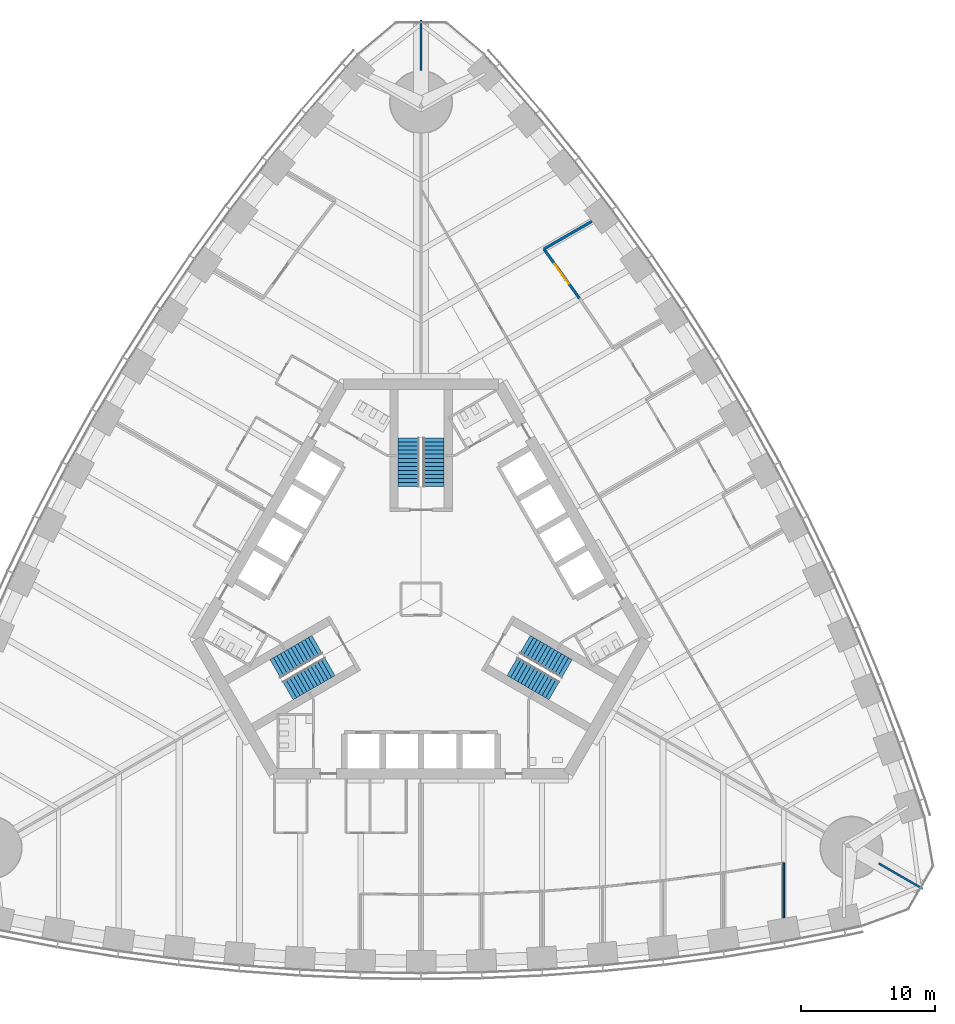
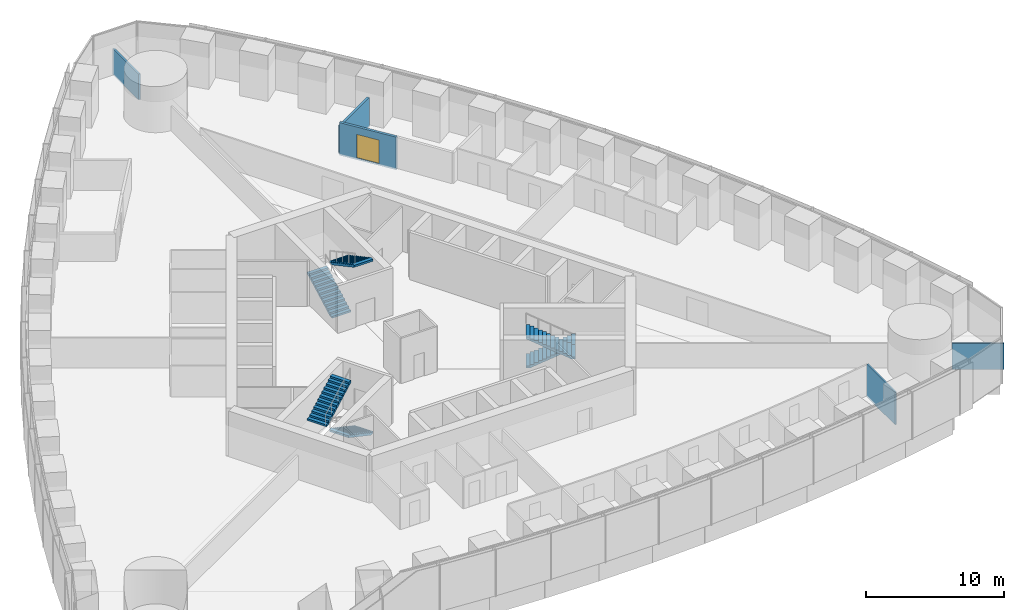
# One storey, part 13 of 18: 6 stair flights, 5 walls, 1 door, 1 opening, 3 elements without a shape of their own.
"""IFC4 building model written with IfcOpenShell, lengths in metres."""

from ifc_helpers import new_model, si_unit, direction, frame, frame_2d, origin, place, context, subcontext, project, spatial, polyline, rectangle, outline, extrude, material, layer, layer_set, type_object, element, fill, aggregate, save


model = new_model("IFC4")

# Units and contexts
model_context = context("Model", 3, precision=1e-05, world=origin(), true_north=direction((0.0, 1.0)))
body_context = subcontext(model_context, "Body", "Model", "MODEL_VIEW")
ifc_project = project(units=[si_unit("LENGTHUNIT", "METRE"), si_unit("AREAUNIT", "SQUARE_METRE"), si_unit("VOLUMEUNIT", "CUBIC_METRE"), si_unit("PLANEANGLEUNIT", "RADIAN"), si_unit("MASSUNIT", "GRAM", prefix="KILO")], contexts=[model_context])

# Site, building, storey
site_placement = place(None, origin())
site = spatial("IfcSite", under=ifc_project, at=site_placement, CompositionType="ELEMENT")
building_placement = place(site_placement, origin())
building = spatial("IfcBuilding", under=site, at=building_placement, Name="Trefoil Bronze Tower", CompositionType="ELEMENT")
storey_placement = place(building_placement, frame((0.0, 0.0, 66.89990234375)))
storey = spatial("IfcBuildingStorey", under=building, at=storey_placement, Name="L15", CompositionType="ELEMENT", Elevation=66.89990234375)

# Wall, opening, door
ifc_material_1 = material(Name="Gypsum board on steel studs", Category="steel")
ifc_layer_1 = layer(ifc_material_1, 0.199951171875)
ifc_layer_set_1 = layer_set([ifc_layer_1], Name="Acoustic partition 200")
wall_type_1 = type_object("IfcWallType", Name="Acoustic partition 200", PredefinedType="PARTITIONING", material=ifc_layer_set_1)
wall_1_placement = place(storey_placement, frame((11.791748046875, 22.396240234375, 0.0), z_axis=(0.0, 0.0, 1.0), x_axis=(-0.585376255171, 0.810761765183, 0.0)))
wall_1 = element("IfcWall", 1, at=wall_1_placement, inside=storey, type_object=wall_type_1, Name="Partition F2 L15", PredefinedType="PARTITIONING", context=body_context, shape_type="SweptSolid", body=[
    extrude(rectangle(XDim=4.5234375, YDim=0.199951171875, at=frame_2d((2.26171875, 0.0))), origin(), (0.0, 0.0, 1.0), 2.900146484375),
])
opening_placement = place(wall_1_placement, frame((1.35009765625, 0.0, 0.14990234375)))
opening = element("IfcOpeningElement", 2, at=opening_placement, cuts=wall_1, Name="Opening D10", PredefinedType="OPENING", context=body_context, shape_type="SweptSolid", body=[
    extrude(rectangle(XDim=1.800048828125, YDim=2.10009765625, at=frame_2d((0.89990234375, 1.050048828125))), frame((0.0, 0.10986328125, 0.0), z_axis=(0.0, -1.0, 0.0), x_axis=(1.0, 0.0, 0.0)), (0.0, 0.0, 1.0), 0.219970703125),
])
ifc_material_2 = material(Name="Timber door", Category="wood")
door_type = type_object("IfcDoorType", Name="Double door 1800", OperationType="DOUBLE_DOOR_SINGLE_SWING", PredefinedType="DOOR", material=ifc_material_2)
door_placement = place(opening_placement, frame((1.800048828125, 0.0, 0.0), z_axis=(0.0, 0.0, 1.0), x_axis=(-1.0, 0.0, 0.0)))
door = element("IfcDoor", 3, at=door_placement, inside=storey, type_object=door_type, Name="Boardroom door F2 L15", OperationType="DOUBLE_DOOR_SINGLE_SWING", OverallHeight=2.10009765625, OverallWidth=1.800048828125, PredefinedType="DOOR", context=body_context, shape_type="SweptSolid", body=[
    extrude(rectangle(XDim=1.800048828125, YDim=2.10009765625, at=frame_2d((0.89990234375, 1.050048828125))), frame((0.0, 0.02490234375, 0.0), z_axis=(0.0, -1.0, 0.0), x_axis=(1.0, 0.0, 0.0)), (0.0, 0.0, 1.0), 0.050048828125),
])
fill(opening, door)

# Walls
wall_2_placement = place(storey_placement, frame((9.143798828125, 26.063720703125, 0.0), z_axis=(0.0, 0.0, 1.0), x_axis=(0.866022320763, 0.500005339912, 0.0)))
element("IfcWall", 4, at=wall_2_placement, inside=storey, type_object=wall_type_1, Name="Partition F2 L15", PredefinedType="PARTITIONING", context=body_context, shape_type="SweptSolid", body=[
    extrude(rectangle(XDim=4.10888671875, YDim=0.199951171875, at=frame_2d((2.054443359375, 0.0))), origin(), (0.0, 0.0, 1.0), 2.60009765625),
])
ifc_material_3 = material(Name="Glazed partition", Category="glass")
ifc_layer_2 = layer(ifc_material_3, 0.1201171875)
ifc_layer_set_2 = layer_set([ifc_layer_2], Name="Glazed partition 120")
wall_type_2 = type_object("IfcWallType", Name="Glazed partition 120", PredefinedType="PARTITIONING", material=ifc_layer_set_2)
wall_3_placement = place(storey_placement, frame((27.0, -19.63037109375, 0.0), z_axis=(0.0, 0.0, 1.0), x_axis=(0.0, -1.0, 0.0)))
element("IfcWall", 5, at=wall_3_placement, inside=storey, type_object=wall_type_2, Name="Partition F1 L15", PredefinedType="PARTITIONING", context=body_context, shape_type="SweptSolid", body=[
    extrude(rectangle(XDim=4.094970703125, YDim=0.1201171875, at=frame_2d((2.04736328125, 0.0))), origin(), (0.0, 0.0, 1.0), 2.900146484375),
])
ifc_material_4 = material(Name="Gypsum board on steel studs", Category="steel")
ifc_layer_3 = layer(ifc_material_4, 0.14990234375)
ifc_layer_set_3 = layer_set([ifc_layer_3], Name="Party wall 150")
wall_type_3 = type_object("IfcWallType", Name="Party wall 150", PredefinedType="PARTITIONING", material=ifc_layer_set_3)
wall_4_placement = place(storey_placement, frame((34.078125, -19.675048828125, 0.0), z_axis=(0.0, 0.0, 1.0), x_axis=(0.866019247219, -0.500010663332, 0.0)))
element("IfcWall", 6, at=wall_4_placement, inside=storey, type_object=wall_type_3, Name="Party wall K1 L15", PredefinedType="PARTITIONING", context=body_context, shape_type="SweptSolid", body=[
    extrude(rectangle(XDim=3.76416015625, YDim=0.14990234375, at=frame_2d((1.882080078125, 0.0))), origin(), (0.0, 0.0, 1.0), 2.300048828125),
])
wall_5_placement = place(storey_placement, frame((0.0, 39.35009765625, 0.0), z_axis=(0.0, 0.0, 1.0), x_axis=(0.0, 1.0, 0.0)))
element("IfcWall", 7, at=wall_5_placement, inside=storey, type_object=wall_type_3, Name="Party wall K2 L15", PredefinedType="PARTITIONING", context=body_context, shape_type="SweptSolid", body=[
    extrude(rectangle(XDim=3.763916015625, YDim=0.14990234375, at=frame_2d((1.8818359375, 0.0))), origin(), (0.0, 0.0, 1.0), 2.300048828125),
])

# Stair, stair flights
ifc_material_5 = material(Name="Precast concrete B80", Category="concrete")
stair_type = type_object("IfcStairType", Name="Exit stair 26 risers", PredefinedType="HALF_TURN_STAIR", material=ifc_material_5)
stair_1_placement = place(storey_placement, origin())
stair_1 = element("IfcStair", 8, at=stair_1_placement, inside=storey, type_object=stair_type, Name="Stair ST1 L15", PredefinedType="HALF_TURN_STAIR")
ifc_material_6 = material(Name="Precast concrete B80", Category="concrete")
stair_flight_type = type_object("IfcStairFlightType", Name="Stair flight 1600", PredefinedType="STRAIGHT", material=ifc_material_6)
stair_flight_1_placement = place(storey_placement, frame((7.728515625, -3.39404296875, 0.0), z_axis=(0.0, 0.0, 1.0), x_axis=(0.866025403784, -0.5, 0.0)))
stair_flight_1 = element("IfcStairFlight", 9, at=stair_flight_1_placement, type_object=stair_flight_type, Name="ST1 flight 1", NumberOfRisers=13, NumberOfTreads=12, PredefinedType="STRAIGHT", RiserHeight=0.161538462, TreadLength=0.3, context=body_context, shape_type="SweptSolid", body=[
    extrude(outline(polyline([(0.0, 0.0), (0.0, 0.16162109375), (0.300048828125, 0.16162109375), (0.300048828125, 0.322998046875), (0.60009765625, 0.322998046875), (0.60009765625, 0.484619140625), (0.89990234375, 0.484619140625), (0.89990234375, 0.646240234375), (1.199951171875, 0.646240234375), (1.199951171875, 0.8076171875), (1.5, 0.8076171875), (1.5, 0.96923828125), (1.800048828125, 0.96923828125), (1.800048828125, 1.130859375), (2.10009765625, 1.130859375), (2.10009765625, 1.292236328125), (2.39990234375, 1.292236328125), (2.39990234375, 1.453857421875), (2.699951171875, 1.453857421875), (2.699951171875, 1.615478515625), (3.0, 1.615478515625), (3.0, 1.77685546875), (3.300048828125, 1.77685546875), (3.300048828125, 1.9384765625), (3.60009765625, 1.9384765625), (3.60009765625, 2.10009765625), (3.60009765625, 1.768310546875), (0.316162109375, 0.0), (0.0, 0.0)])), frame((0.0, 0.800048828125, 0.0), z_axis=(0.0, -1.0, 0.0), x_axis=(1.0, 0.0, 0.0)), (0.0, 0.0, 1.0), 1.60009765625),
])
stair_flight_2_placement = place(storey_placement, frame((9.921142578125, -6.796142578125, 2.10009765625), z_axis=(0.0, 0.0, 1.0), x_axis=(-0.866025403784, 0.5, 0.0)))
stair_flight_2 = element("IfcStairFlight", 10, at=stair_flight_2_placement, type_object=stair_flight_type, Name="ST1 flight 2", NumberOfRisers=13, NumberOfTreads=12, PredefinedType="STRAIGHT", RiserHeight=0.161538462, TreadLength=0.3, context=body_context, shape_type="SweptSolid", body=[
    extrude(outline(polyline([(0.0, 0.0), (0.0, 0.16162109375), (0.300048828125, 0.16162109375), (0.300048828125, 0.322998046875), (0.60009765625, 0.322998046875), (0.60009765625, 0.484619140625), (0.89990234375, 0.484619140625), (0.89990234375, 0.646240234375), (1.199951171875, 0.646240234375), (1.199951171875, 0.8076171875), (1.5, 0.8076171875), (1.5, 0.96923828125), (1.800048828125, 0.96923828125), (1.800048828125, 1.130859375), (2.10009765625, 1.130859375), (2.10009765625, 1.292236328125), (2.39990234375, 1.292236328125), (2.39990234375, 1.453857421875), (2.699951171875, 1.453857421875), (2.699951171875, 1.615478515625), (3.0, 1.615478515625), (3.0, 1.77685546875), (3.300048828125, 1.77685546875), (3.300048828125, 1.9384765625), (3.60009765625, 1.9384765625), (3.60009765625, 2.10009765625), (3.60009765625, 1.768310546875), (0.316162109375, 0.0), (0.0, 0.0)])), frame((0.0, 0.800048828125, 0.0), z_axis=(0.0, -1.0, 0.0), x_axis=(1.0, 0.0, 0.0)), (0.0, 0.0, 1.0), 1.60009765625),
])
aggregate(stair_1, [stair_flight_1, stair_flight_2])

stair_2_placement = place(storey_placement, origin())
stair_2 = element("IfcStair", 11, at=stair_2_placement, inside=storey, type_object=stair_type, Name="Stair ST2 L15", PredefinedType="HALF_TURN_STAIR")
stair_flight_3_placement = place(storey_placement, frame((-0.925048828125, 8.389892578125, 0.0), z_axis=(0.0, 0.0, 1.0), x_axis=(0.0, 1.0, 0.0)))
stair_flight_3 = element("IfcStairFlight", 12, at=stair_flight_3_placement, type_object=stair_flight_type, Name="ST2 flight 1", NumberOfRisers=13, NumberOfTreads=12, PredefinedType="STRAIGHT", RiserHeight=0.161538462, TreadLength=0.3, context=body_context, shape_type="SweptSolid", body=[
    extrude(outline(polyline([(0.0, 0.0), (0.0, 0.16162109375), (0.300048828125, 0.16162109375), (0.300048828125, 0.322998046875), (0.60009765625, 0.322998046875), (0.60009765625, 0.484619140625), (0.89990234375, 0.484619140625), (0.89990234375, 0.646240234375), (1.199951171875, 0.646240234375), (1.199951171875, 0.8076171875), (1.5, 0.8076171875), (1.5, 0.96923828125), (1.800048828125, 0.96923828125), (1.800048828125, 1.130859375), (2.10009765625, 1.130859375), (2.10009765625, 1.292236328125), (2.39990234375, 1.292236328125), (2.39990234375, 1.453857421875), (2.699951171875, 1.453857421875), (2.699951171875, 1.615478515625), (3.0, 1.615478515625), (3.0, 1.77685546875), (3.300048828125, 1.77685546875), (3.300048828125, 1.9384765625), (3.60009765625, 1.9384765625), (3.60009765625, 2.10009765625), (3.60009765625, 1.768310546875), (0.316162109375, 0.0), (0.0, 0.0)])), frame((0.0, 0.800048828125, 0.0), z_axis=(0.0, -1.0, 0.0), x_axis=(1.0, 0.0, 0.0)), (0.0, 0.0, 1.0), 1.60009765625),
])
stair_flight_4_placement = place(storey_placement, frame((0.925048828125, 11.989990234375, 2.10009765625), z_axis=(0.0, 0.0, 1.0), x_axis=(0.0, -1.0, 0.0)))
stair_flight_4 = element("IfcStairFlight", 13, at=stair_flight_4_placement, type_object=stair_flight_type, Name="ST2 flight 2", NumberOfRisers=13, NumberOfTreads=12, PredefinedType="STRAIGHT", RiserHeight=0.161538462, TreadLength=0.3, context=body_context, shape_type="SweptSolid", body=[
    extrude(outline(polyline([(0.0, 0.0), (0.0, 0.16162109375), (0.300048828125, 0.16162109375), (0.300048828125, 0.322998046875), (0.60009765625, 0.322998046875), (0.60009765625, 0.484619140625), (0.89990234375, 0.484619140625), (0.89990234375, 0.646240234375), (1.199951171875, 0.646240234375), (1.199951171875, 0.8076171875), (1.5, 0.8076171875), (1.5, 0.96923828125), (1.800048828125, 0.96923828125), (1.800048828125, 1.130859375), (2.10009765625, 1.130859375), (2.10009765625, 1.292236328125), (2.39990234375, 1.292236328125), (2.39990234375, 1.453857421875), (2.699951171875, 1.453857421875), (2.699951171875, 1.615478515625), (3.0, 1.615478515625), (3.0, 1.77685546875), (3.300048828125, 1.77685546875), (3.300048828125, 1.9384765625), (3.60009765625, 1.9384765625), (3.60009765625, 2.10009765625), (3.60009765625, 1.768310546875), (0.316162109375, 0.0), (0.0, 0.0)])), frame((0.0, 0.800048828125, 0.0), z_axis=(0.0, -1.0, 0.0), x_axis=(1.0, 0.0, 0.0)), (0.0, 0.0, 1.0), 1.60009765625),
])
aggregate(stair_2, [stair_flight_3, stair_flight_4])

stair_3_placement = place(storey_placement, origin())
stair_3 = element("IfcStair", 14, at=stair_3_placement, inside=storey, type_object=stair_type, Name="Stair ST3 L15", PredefinedType="HALF_TURN_STAIR")
stair_flight_5_placement = place(storey_placement, frame((-6.803466796875, -4.99609375, 0.0), z_axis=(0.0, 0.0, 1.0), x_axis=(-0.866025403784, -0.5, 0.0)))
stair_flight_5 = element("IfcStairFlight", 15, at=stair_flight_5_placement, type_object=stair_flight_type, Name="ST3 flight 1", NumberOfRisers=13, NumberOfTreads=12, PredefinedType="STRAIGHT", RiserHeight=0.161538462, TreadLength=0.3, context=body_context, shape_type="SweptSolid", body=[
    extrude(outline(polyline([(0.0, 0.0), (0.0, 0.16162109375), (0.300048828125, 0.16162109375), (0.300048828125, 0.322998046875), (0.60009765625, 0.322998046875), (0.60009765625, 0.484619140625), (0.89990234375, 0.484619140625), (0.89990234375, 0.646240234375), (1.199951171875, 0.646240234375), (1.199951171875, 0.8076171875), (1.5, 0.8076171875), (1.5, 0.96923828125), (1.800048828125, 0.96923828125), (1.800048828125, 1.130859375), (2.10009765625, 1.130859375), (2.10009765625, 1.292236328125), (2.39990234375, 1.292236328125), (2.39990234375, 1.453857421875), (2.699951171875, 1.453857421875), (2.699951171875, 1.615478515625), (3.0, 1.615478515625), (3.0, 1.77685546875), (3.300048828125, 1.77685546875), (3.300048828125, 1.9384765625), (3.60009765625, 1.9384765625), (3.60009765625, 2.10009765625), (3.60009765625, 1.768310546875), (0.316162109375, 0.0), (0.0, 0.0)])), frame((0.0, 0.800048828125, 0.0), z_axis=(0.0, -1.0, 0.0), x_axis=(1.0, 0.0, 0.0)), (0.0, 0.0, 1.0), 1.60009765625),
])
stair_flight_6_placement = place(storey_placement, frame((-10.84619140625, -5.19384765625, 2.10009765625), z_axis=(0.0, 0.0, 1.0), x_axis=(0.866025403784, 0.5, 0.0)))
stair_flight_6 = element("IfcStairFlight", 16, at=stair_flight_6_placement, type_object=stair_flight_type, Name="ST3 flight 2", NumberOfRisers=13, NumberOfTreads=12, PredefinedType="STRAIGHT", RiserHeight=0.161538462, TreadLength=0.3, context=body_context, shape_type="SweptSolid", body=[
    extrude(outline(polyline([(0.0, 0.0), (0.0, 0.16162109375), (0.300048828125, 0.16162109375), (0.300048828125, 0.322998046875), (0.60009765625, 0.322998046875), (0.60009765625, 0.484619140625), (0.89990234375, 0.484619140625), (0.89990234375, 0.646240234375), (1.199951171875, 0.646240234375), (1.199951171875, 0.8076171875), (1.5, 0.8076171875), (1.5, 0.96923828125), (1.800048828125, 0.96923828125), (1.800048828125, 1.130859375), (2.10009765625, 1.130859375), (2.10009765625, 1.292236328125), (2.39990234375, 1.292236328125), (2.39990234375, 1.453857421875), (2.699951171875, 1.453857421875), (2.699951171875, 1.615478515625), (3.0, 1.615478515625), (3.0, 1.77685546875), (3.300048828125, 1.77685546875), (3.300048828125, 1.9384765625), (3.60009765625, 1.9384765625), (3.60009765625, 2.10009765625), (3.60009765625, 1.768310546875), (0.316162109375, 0.0), (0.0, 0.0)])), frame((0.0, 0.800048828125, 0.0), z_axis=(0.0, -1.0, 0.0), x_axis=(1.0, 0.0, 0.0)), (0.0, 0.0, 1.0), 1.60009765625),
])
aggregate(stair_3, [stair_flight_5, stair_flight_6])

save(model, "model.ifc")
